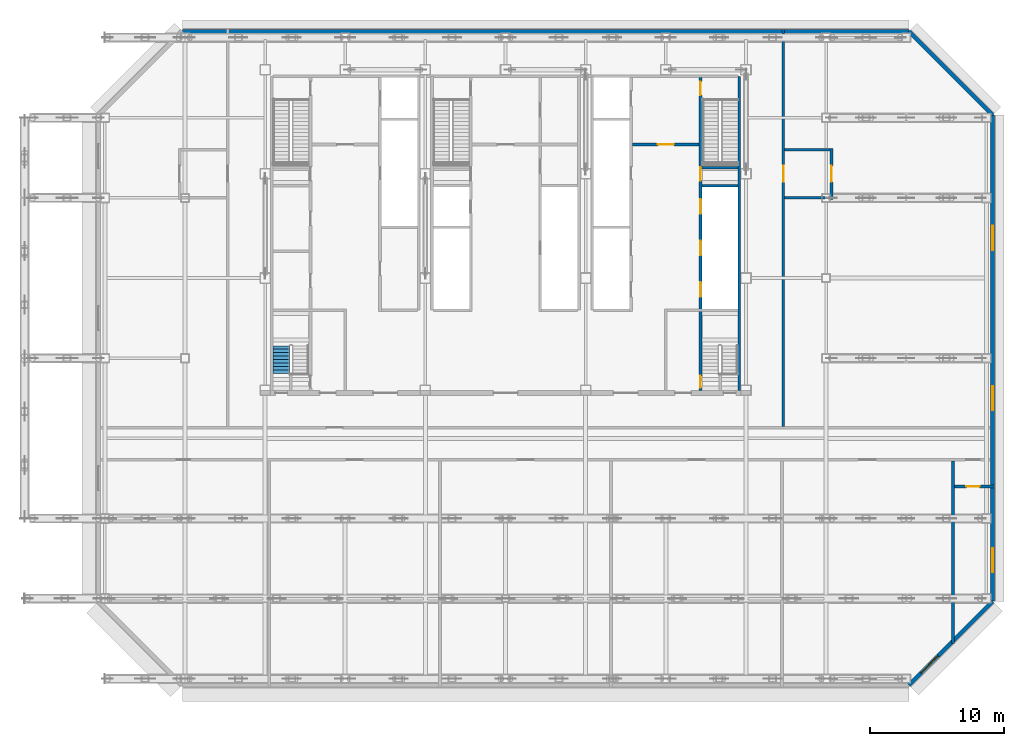
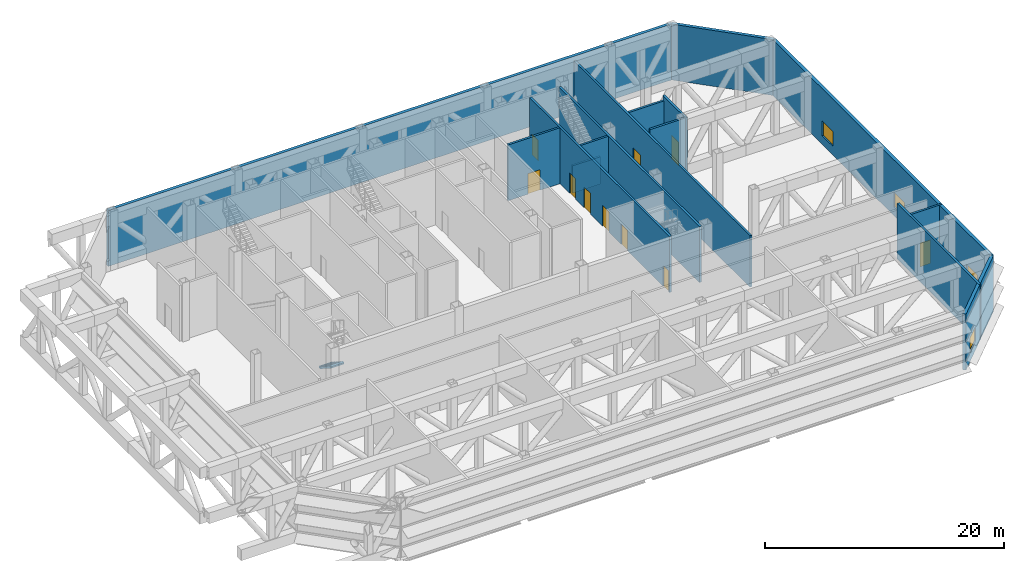
# One storey, part 8 of 17: 15 walls, 10 doors, 4 windows, 1 stair flight, 14 openings, 1 element without a shape of its own.
"""IFC4 building model written with IfcOpenShell, lengths in metres."""

from ifc_helpers import new_model, si_unit, direction, frame, frame_2d, origin, place, context, subcontext, project, spatial, polyline, rectangle, outline, extrude, material, layer, layer_set, type_object, element, fill, aggregate, save


model = new_model("IFC4")

# Units and contexts
model_context = context("Model", 3, precision=1e-05, world=origin(), true_north=direction((0.0, 1.0)))
body_context = subcontext(model_context, "Body", "Model", "MODEL_VIEW")
ifc_project = project(units=[si_unit("LENGTHUNIT", "METRE"), si_unit("AREAUNIT", "SQUARE_METRE"), si_unit("VOLUMEUNIT", "CUBIC_METRE"), si_unit("PLANEANGLEUNIT", "RADIAN"), si_unit("MASSUNIT", "GRAM", prefix="KILO")], contexts=[model_context])

# Site, building, storey
site_placement = place(None, origin())
site = spatial("IfcSite", under=ifc_project, at=site_placement, CompositionType="ELEMENT")
building_placement = place(site_placement, origin())
building = spatial("IfcBuilding", under=site, at=building_placement, Name="Sorahane Residences", CompositionType="ELEMENT")
storey_placement = place(building_placement, frame((0.0, 0.0, 186.0)))
storey = spatial("IfcBuildingStorey", under=building, at=storey_placement, Name="L43", CompositionType="ELEMENT", Elevation=186.0)

# Wall
ifc_material_1 = material(Name="Concrete C30", Category="concrete")
ifc_layer_1 = layer(ifc_material_1, 0.199951171875)
ifc_layer_set_1 = layer_set([ifc_layer_1], Name="Core face wall 200 EI 180")
wall_type_1 = type_object("IfcWallType", Name="Core face wall 200 EI 180", PredefinedType="SOLIDWALL", material=ifc_layer_set_1)
wall_1_placement = place(storey_placement, frame((41.5, 21.60009765625, 0.0), z_axis=(0.0, 0.0, 1.0), x_axis=(0.0, 1.0, 0.0)))
element("IfcWall", 1, at=wall_1_placement, inside=storey, type_object=wall_type_1, Name="L43 core face wall", PredefinedType="SOLIDWALL", context=body_context, shape_type="SweptSolid", body=[
    extrude(rectangle(XDim=23.5, YDim=0.199951171875, at=frame_2d((11.75, 0.0))), origin(), (0.0, 0.0, 1.0), 5.699951171875),
])

# Wall, opening, window
ifc_material_2 = material(Name="Graphite insulated metal-clad wall")
ifc_layer_2 = layer(ifc_material_2, 0.300048828125)
ifc_layer_set_2 = layer_set([ifc_layer_2], Name="External wall insulated metal-clad 300")
wall_type_2 = type_object("IfcWallType", Name="External wall insulated metal-clad 300", PredefinedType="SOLIDWALL", material=ifc_layer_set_2)
wall_2_placement = place(storey_placement, frame((54.194580078125, -0.469970703125, 0.0), z_axis=(0.0, 0.0, 1.0), x_axis=(0.707106781187, 0.707106781187, 0.0)))
wall_2 = element("IfcWall", 2, at=wall_2_placement, inside=storey, type_object=wall_type_2, Name="External plant wall L43 SE1", PredefinedType="SOLIDWALL", context=body_context, shape_type="SweptSolid", body=[
    extrude(rectangle(XDim=8.874755859375, YDim=0.300048828125, at=frame_2d((4.4375, 0.0))), origin(), (0.0, 0.0, 1.0), 5.699951171875),
])
opening_1_placement = place(wall_2_placement, frame((1.291748046875, 0.0, 0.89990234375)))
opening_1 = element("IfcOpeningElement", 3, at=opening_1_placement, cuts=wall_2, Name="Opening W-R1", PredefinedType="OPENING", context=body_context, shape_type="SweptSolid", body=[
    extrude(rectangle(XDim=1.800048828125, YDim=1.5, at=frame_2d((0.89990234375, 0.75))), frame((0.0, 0.159912109375, 0.0), z_axis=(0.0, -1.0, 0.0), x_axis=(1.0, 0.0, 0.0)), (0.0, 0.0, 1.0), 0.320068359375),
])
ifc_material_3 = material(Name="Dark aluminium and glass", Category="aluminium")
window_type = type_object("IfcWindowType", Name="Openable Class B fire window dark aluminium 1800x1500", PartitioningType="SINGLE_PANEL", PredefinedType="WINDOW", material=ifc_material_3)
window_1_placement = place(opening_1_placement, origin())
window_1 = element("IfcWindow", 4, at=window_1_placement, inside=storey, type_object=window_type, Name="Openable fire window L43 SE1.1", OverallHeight=1.5, OverallWidth=1.800048828125, PartitioningType="SINGLE_PANEL", PredefinedType="WINDOW", context=body_context, shape_type="SweptSolid", body=[
    extrude(rectangle(XDim=1.800048828125, YDim=1.5, at=frame_2d((0.89990234375, 0.75))), frame((0.0, 0.030029296875, 0.0), z_axis=(0.0, -1.0, 0.0), x_axis=(1.0, 0.0, 0.0)), (0.0, 0.0, 1.0), 0.06005859375),
])
fill(opening_1, window_1)

# Wall, openings, windows
wall_3_placement = place(storey_placement, frame((60.469970703125, 5.805419921875, 0.0), z_axis=(0.0, 0.0, 1.0), x_axis=(0.0, 1.0, 0.0)))
wall_3 = element("IfcWall", 5, at=wall_3_placement, inside=storey, type_object=wall_type_2, Name="External plant wall L43 E1", PredefinedType="SOLIDWALL", context=body_context, shape_type="SweptSolid", body=[
    extrude(rectangle(XDim=36.38916015625, YDim=0.300048828125, at=frame_2d((18.194580078125, 0.0))), origin(), (0.0, 0.0, 1.0), 5.699951171875),
])
opening_2_placement = place(wall_3_placement, frame((2.17041015625, 0.0, 0.89990234375)))
opening_2 = element("IfcOpeningElement", 6, at=opening_2_placement, cuts=wall_3, Name="Opening W-R1", PredefinedType="OPENING", context=body_context, shape_type="SweptSolid", body=[
    extrude(rectangle(XDim=1.800048828125, YDim=1.5, at=frame_2d((0.89990234375, 0.75))), frame((0.0, 0.159912109375, 0.0), z_axis=(0.0, -1.0, 0.0), x_axis=(1.0, 0.0, 0.0)), (0.0, 0.0, 1.0), 0.320068359375),
])
opening_3_placement = place(wall_3_placement, frame((14.294677734375, 0.0, 0.89990234375)))
opening_3 = element("IfcOpeningElement", 7, at=opening_3_placement, cuts=wall_3, Name="Opening W-R1", PredefinedType="OPENING", context=body_context, shape_type="SweptSolid", body=[
    extrude(rectangle(XDim=1.800048828125, YDim=1.5, at=frame_2d((0.89990234375, 0.75))), frame((0.0, 0.159912109375, 0.0), z_axis=(0.0, -1.0, 0.0), x_axis=(1.0, 0.0, 0.0)), (0.0, 0.0, 1.0), 0.320068359375),
])
opening_4_placement = place(wall_3_placement, frame((26.294677734375, 0.0, 0.89990234375)))
opening_4 = element("IfcOpeningElement", 8, at=opening_4_placement, cuts=wall_3, Name="Opening W-R1", PredefinedType="OPENING", context=body_context, shape_type="SweptSolid", body=[
    extrude(rectangle(XDim=1.800048828125, YDim=1.5, at=frame_2d((0.89990234375, 0.75))), frame((0.0, 0.159912109375, 0.0), z_axis=(0.0, -1.0, 0.0), x_axis=(1.0, 0.0, 0.0)), (0.0, 0.0, 1.0), 0.320068359375),
])
window_2_placement = place(opening_2_placement, origin())
window_2 = element("IfcWindow", 9, at=window_2_placement, inside=storey, type_object=window_type, Name="Openable fire window L43 E1.1", OverallHeight=1.5, OverallWidth=1.800048828125, PartitioningType="SINGLE_PANEL", PredefinedType="WINDOW", context=body_context, shape_type="SweptSolid", body=[
    extrude(rectangle(XDim=1.800048828125, YDim=1.5, at=frame_2d((0.89990234375, 0.75))), frame((0.0, 0.030029296875, 0.0), z_axis=(0.0, -1.0, 0.0), x_axis=(1.0, 0.0, 0.0)), (0.0, 0.0, 1.0), 0.06005859375),
])
fill(opening_2, window_2)
window_3_placement = place(opening_3_placement, origin())
window_3 = element("IfcWindow", 10, at=window_3_placement, inside=storey, type_object=window_type, Name="Openable fire window L43 E1.3", OverallHeight=1.5, OverallWidth=1.800048828125, PartitioningType="SINGLE_PANEL", PredefinedType="WINDOW", context=body_context, shape_type="SweptSolid", body=[
    extrude(rectangle(XDim=1.800048828125, YDim=1.5, at=frame_2d((0.89990234375, 0.75))), frame((0.0, 0.030029296875, 0.0), z_axis=(0.0, -1.0, 0.0), x_axis=(1.0, 0.0, 0.0)), (0.0, 0.0, 1.0), 0.06005859375),
])
fill(opening_3, window_3)
window_4_placement = place(opening_4_placement, origin())
window_4 = element("IfcWindow", 11, at=window_4_placement, inside=storey, type_object=window_type, Name="Openable fire window L43 E1.5", OverallHeight=1.5, OverallWidth=1.800048828125, PartitioningType="SINGLE_PANEL", PredefinedType="WINDOW", context=body_context, shape_type="SweptSolid", body=[
    extrude(rectangle(XDim=1.800048828125, YDim=1.5, at=frame_2d((0.89990234375, 0.75))), frame((0.0, 0.030029296875, 0.0), z_axis=(0.0, -1.0, 0.0), x_axis=(1.0, 0.0, 0.0)), (0.0, 0.0, 1.0), 0.06005859375),
])
fill(opening_4, window_4)

# Walls
wall_4_placement = place(storey_placement, frame((60.469970703125, 42.194580078125, 0.0), z_axis=(0.0, 0.0, 1.0), x_axis=(-0.707106781187, 0.707106781187, 0.0)))
element("IfcWall", 12, at=wall_4_placement, inside=storey, type_object=wall_type_2, Name="External plant wall L43 NE1", PredefinedType="SOLIDWALL", context=body_context, shape_type="SweptSolid", body=[
    extrude(rectangle(XDim=8.874755859375, YDim=0.300048828125, at=frame_2d((4.4375, 0.0))), origin(), (0.0, 0.0, 1.0), 5.699951171875),
])
wall_5_placement = place(storey_placement, frame((54.194580078125, 48.469970703125, 0.0), z_axis=(0.0, 0.0, 1.0), x_axis=(-1.0, 0.0, 0.0)))
element("IfcWall", 13, at=wall_5_placement, inside=storey, type_object=wall_type_2, Name="External plant wall L43 N1", PredefinedType="SOLIDWALL", context=body_context, shape_type="SweptSolid", body=[
    extrude(rectangle(XDim=54.38916015625, YDim=0.300048828125, at=frame_2d((27.194580078125, 0.0))), origin(), (0.0, 0.0, 1.0), 5.699951171875),
])

# Wall, opening, door
ifc_material_4 = material(Name="Concrete blockwork C20 wall", Category="masonry")
ifc_layer_3 = layer(ifc_material_4, 0.199951171875)
ifc_layer_set_3 = layer_set([ifc_layer_3], Name="Fire wall 200 EI 120")
wall_type_3 = type_object("IfcWallType", Name="Fire wall 200 EI 120", PredefinedType="SOLIDWALL", material=ifc_layer_set_3)
wall_6_placement = place(storey_placement, frame((44.800048828125, 18.89990234375, 0.0), z_axis=(0.0, 0.0, 1.0), x_axis=(0.0, 1.0, 0.0)))
wall_6 = element("IfcWall", 14, at=wall_6_placement, inside=storey, type_object=wall_type_3, Name="L43 fire wall", PredefinedType="SOLIDWALL", context=body_context, shape_type="SweptSolid", body=[
    extrude(rectangle(XDim=29.7001953125, YDim=0.199951171875, at=frame_2d((14.85009765625, 0.0))), origin(), (0.0, 0.0, 1.0), 5.25),
])
opening_5_placement = place(wall_6_placement, frame((18.300048828125, 0.0, 0.0)))
opening_5 = element("IfcOpeningElement", 15, at=opening_5_placement, cuts=wall_6, Name="Opening L43-10", PredefinedType="OPENING", context=body_context, shape_type="SweptSolid", body=[
    extrude(rectangle(XDim=1.199951171875, YDim=2.39990234375, at=frame_2d((0.60009765625, 1.199951171875))), frame((0.0, 0.10986328125, 0.0), z_axis=(0.0, -1.0, 0.0), x_axis=(1.0, 0.0, 0.0)), (0.0, 0.0, 1.0), 0.219970703125),
])
ifc_material_5 = material(Name="Steel", Category="steel")
door_type_1 = type_object("IfcDoorType", Name="Lobby door 1200x2400 FD60", OperationType="NOTDEFINED", PredefinedType="DOOR", material=ifc_material_5)
door_1_placement = place(opening_5_placement, origin())
door_1 = element("IfcDoor", 16, at=door_1_placement, inside=storey, type_object=door_type_1, Name="Lobby door L43-10", OperationType="SINGLE_SWING_RIGHT", OverallHeight=2.39990234375, OverallWidth=1.199951171875, PredefinedType="DOOR", context=body_context, shape_type="SweptSolid", body=[
    extrude(rectangle(XDim=1.199951171875, YDim=2.39990234375, at=frame_2d((0.60009765625, 1.199951171875))), frame((0.0, 0.02490234375, 0.0), z_axis=(0.0, -1.0, 0.0), x_axis=(1.0, 0.0, 0.0)), (0.0, 0.0, 1.0), 0.050048828125),
])
fill(opening_5, door_1)

wall_7_placement = place(storey_placement, frame((48.39990234375, 35.89990234375, 0.0), z_axis=(0.0, 0.0, 1.0), x_axis=(0.0, 1.0, 0.0)))
wall_7 = element("IfcWall", 17, at=wall_7_placement, inside=storey, type_object=wall_type_3, Name="L43 fire wall", PredefinedType="SOLIDWALL", context=body_context, shape_type="SweptSolid", body=[
    extrude(rectangle(XDim=3.800048828125, YDim=0.199951171875, at=frame_2d((1.89990234375, 0.0))), origin(), (0.0, 0.0, 1.0), 5.699951171875),
])
opening_6_placement = place(wall_7_placement, frame((1.300048828125, 0.0, 0.0)))
opening_6 = element("IfcOpeningElement", 18, at=opening_6_placement, cuts=wall_7, Name="Opening L43-09", PredefinedType="OPENING", context=body_context, shape_type="SweptSolid", body=[
    extrude(rectangle(XDim=1.199951171875, YDim=2.39990234375, at=frame_2d((0.60009765625, 1.199951171875))), frame((0.0, 0.10986328125, 0.0), z_axis=(0.0, -1.0, 0.0), x_axis=(1.0, 0.0, 0.0)), (0.0, 0.0, 1.0), 0.219970703125),
])
door_2_placement = place(opening_6_placement, origin())
door_2 = element("IfcDoor", 19, at=door_2_placement, inside=storey, type_object=door_type_1, Name="Lobby door L43-09", OperationType="SINGLE_SWING_LEFT", OverallHeight=2.39990234375, OverallWidth=1.199951171875, PredefinedType="DOOR", context=body_context, shape_type="SweptSolid", body=[
    extrude(rectangle(XDim=1.199951171875, YDim=2.39990234375, at=frame_2d((0.60009765625, 1.199951171875))), frame((0.0, 0.02490234375, 0.0), z_axis=(0.0, -1.0, 0.0), x_axis=(1.0, 0.0, 0.0)), (0.0, 0.0, 1.0), 0.050048828125),
])
fill(opening_6, door_2)

# Wall
wall_8_placement = place(storey_placement, frame((57.5, 2.65087890625, 0.0), z_axis=(0.0, 0.0, 1.0), x_axis=(0.0, 1.0, 0.0)))
element("IfcWall", 20, at=wall_8_placement, inside=storey, type_object=wall_type_3, Name="L43 fire wall", PredefinedType="SOLIDWALL", context=body_context, shape_type="SweptSolid", body=[
    extrude(rectangle(XDim=13.649169921875, YDim=0.199951171875, at=frame_2d((6.82470703125, 0.0))), origin(), (0.0, 0.0, 1.0), 5.699951171875),
])

# Wall, opening, door
wall_9_placement = place(storey_placement, frame((57.60009765625, 14.39990234375, 0.0), z_axis=(0.0, 0.0, 1.0), x_axis=(1.0, 0.0, 0.0)))
wall_9 = element("IfcWall", 21, at=wall_9_placement, inside=storey, type_object=wall_type_3, Name="L43 fire wall", PredefinedType="SOLIDWALL", context=body_context, shape_type="SweptSolid", body=[
    extrude(rectangle(XDim=3.0, YDim=0.199951171875, at=frame_2d((1.5, 0.0))), origin(), (0.0, 0.0, 1.0), 5.699951171875),
])
opening_7_placement = place(wall_9_placement, frame((0.89990234375, 0.0, 0.0)))
opening_7 = element("IfcOpeningElement", 22, at=opening_7_placement, cuts=wall_9, Name="Opening L43-07", PredefinedType="OPENING", context=body_context, shape_type="SweptSolid", body=[
    extrude(rectangle(XDim=1.0, YDim=2.39990234375, at=frame_2d((0.5, 1.199951171875))), frame((0.0, 0.10986328125, 0.0), z_axis=(0.0, -1.0, 0.0), x_axis=(1.0, 0.0, 0.0)), (0.0, 0.0, 1.0), 0.219970703125),
])
ifc_material_6 = material(Name="Steel", Category="steel")
door_type_2 = type_object("IfcDoorType", Name="Fire door 1000x2400 FD60", OperationType="NOTDEFINED", PredefinedType="DOOR", material=ifc_material_6)
door_3_placement = place(opening_7_placement, frame((1.0, 0.0, 0.0), z_axis=(0.0, 0.0, 1.0), x_axis=(-1.0, 0.0, 0.0)))
door_3 = element("IfcDoor", 23, at=door_3_placement, inside=storey, type_object=door_type_2, Name="Fire door L43-07", OperationType="SINGLE_SWING_RIGHT", OverallHeight=2.39990234375, OverallWidth=1.0, PredefinedType="DOOR", context=body_context, shape_type="SweptSolid", body=[
    extrude(rectangle(XDim=1.0, YDim=2.39990234375, at=frame_2d((0.5, 1.199951171875))), frame((0.0, 0.02490234375, 0.0), z_axis=(0.0, -1.0, 0.0), x_axis=(1.0, 0.0, 0.0)), (0.0, 0.0, 1.0), 0.050048828125),
])
fill(opening_7, door_3)

# Walls
wall_10_placement = place(storey_placement, frame((44.89990234375, 36.0, 0.0), z_axis=(0.0, 0.0, 1.0), x_axis=(1.0, 0.0, 0.0)))
element("IfcWall", 24, at=wall_10_placement, inside=storey, type_object=wall_type_3, Name="L43 fire wall", PredefinedType="SOLIDWALL", context=body_context, shape_type="SweptSolid", body=[
    extrude(rectangle(XDim=3.400146484375, YDim=0.199951171875, at=frame_2d((1.7001953125, 0.0))), origin(), (0.0, 0.0, 1.0), 5.699951171875),
])
wall_11_placement = place(storey_placement, frame((44.89990234375, 39.60009765625, 0.0), z_axis=(0.0, 0.0, 1.0), x_axis=(1.0, 0.0, 0.0)))
element("IfcWall", 25, at=wall_11_placement, inside=storey, type_object=wall_type_3, Name="L43 fire wall", PredefinedType="SOLIDWALL", context=body_context, shape_type="SweptSolid", body=[
    extrude(rectangle(XDim=3.400146484375, YDim=0.199951171875, at=frame_2d((1.7001953125, 0.0))), origin(), (0.0, 0.0, 1.0), 5.25),
])

# Wall, opening, door
ifc_material_7 = material(Name="Concrete C30", Category="concrete")
ifc_layer_4 = layer(ifc_material_7, 0.199951171875)
ifc_layer_set_4 = layer_set([ifc_layer_4], Name="Front room wall 200 EI 120")
wall_type_4 = type_object("IfcWallType", Name="Front room wall 200 EI 120", PredefinedType="PARTITIONING", material=ifc_layer_set_4)
wall_12_placement = place(storey_placement, frame((33.5, 40.0, 0.0), z_axis=(0.0, 0.0, 1.0), x_axis=(1.0, 0.0, 0.0)))
wall_12 = element("IfcWall", 26, at=wall_12_placement, inside=storey, type_object=wall_type_4, Name="L43 front room wall", PredefinedType="PARTITIONING", context=body_context, shape_type="SweptSolid", body=[
    extrude(rectangle(XDim=5.0, YDim=0.199951171875, at=frame_2d((2.5, 0.0))), origin(), (0.0, 0.0, 1.0), 5.699951171875),
])
opening_8_placement = place(wall_12_placement, frame((1.89990234375, 0.0, 0.0)))
opening_8 = element("IfcOpeningElement", 27, at=opening_8_placement, cuts=wall_12, Name="Opening L43-C08", PredefinedType="OPENING", context=body_context, shape_type="SweptSolid", body=[
    extrude(rectangle(XDim=1.199951171875, YDim=2.10009765625, at=frame_2d((0.60009765625, 1.050048828125))), frame((0.0, 0.10986328125, 0.0), z_axis=(0.0, -1.0, 0.0), x_axis=(1.0, 0.0, 0.0)), (0.0, 0.0, 1.0), 0.219970703125),
])
ifc_material_8 = material(Name="Steel", Category="steel")
door_type_3 = type_object("IfcDoorType", Name="Front room door 1200x2100 FD120", OperationType="NOTDEFINED", PredefinedType="DOOR", material=ifc_material_8)
door_4_placement = place(opening_8_placement, frame((1.199951171875, 0.0, 0.0), z_axis=(0.0, 0.0, 1.0), x_axis=(-1.0, 0.0, 0.0)))
door_4 = element("IfcDoor", 28, at=door_4_placement, inside=storey, type_object=door_type_3, Name="Front room door Firefighting lobby FF2 front room L43", OperationType="DOUBLE_DOOR_SINGLE_SWING", OverallHeight=2.10009765625, OverallWidth=1.199951171875, PredefinedType="DOOR", context=body_context, shape_type="SweptSolid", body=[
    extrude(rectangle(XDim=1.199951171875, YDim=2.10009765625, at=frame_2d((0.60009765625, 1.050048828125))), frame((0.0, 0.02490234375, 0.0), z_axis=(0.0, -1.0, 0.0), x_axis=(1.0, 0.0, 0.0)), (0.0, 0.0, 1.0), 0.050048828125),
])
fill(opening_8, door_4)

# Wall, openings, doors
ifc_material_9 = material(Name="Concrete C30", Category="concrete")
ifc_layer_5 = layer(ifc_material_9, 0.199951171875)
ifc_layer_set_5 = layer_set([ifc_layer_5], Name="Stair enclosure wall 200 EI 120")
wall_type_5 = type_object("IfcWallType", Name="Stair enclosure wall 200 EI 120", PredefinedType="SOLIDWALL", material=ifc_layer_set_5)
wall_13_placement = place(storey_placement, frame((38.60009765625, 21.60009765625, 0.0), z_axis=(0.0, 0.0, 1.0), x_axis=(0.0, 1.0, 0.0)))
wall_13 = element("IfcWall", 29, at=wall_13_placement, inside=storey, type_object=wall_type_5, Name="L43 stair enclosure wall", PredefinedType="SOLIDWALL", context=body_context, shape_type="SweptSolid", body=[
    extrude(rectangle(XDim=23.39990234375, YDim=0.199951171875, at=frame_2d((11.699951171875, 0.0))), origin(), (0.0, 0.0, 1.0), 5.699951171875),
])
opening_9_placement = place(wall_13_placement, frame((7.0, 0.0, 0.0)))
opening_9 = element("IfcOpeningElement", 30, at=opening_9_placement, cuts=wall_13, Name="Opening L43-C09", PredefinedType="OPENING", context=body_context, shape_type="SweptSolid", body=[
    extrude(rectangle(XDim=1.10009765625, YDim=2.10009765625, at=frame_2d((0.550048828125, 1.050048828125))), frame((0.0, 0.10986328125, 0.0), z_axis=(0.0, -1.0, 0.0), x_axis=(1.0, 0.0, 0.0)), (0.0, 0.0, 1.0), 0.219970703125),
])
opening_10_placement = place(wall_13_placement, frame((10.10009765625, 0.0, 0.0)))
opening_10 = element("IfcOpeningElement", 31, at=opening_10_placement, cuts=wall_13, Name="Opening L43-C10", PredefinedType="OPENING", context=body_context, shape_type="SweptSolid", body=[
    extrude(rectangle(XDim=1.10009765625, YDim=2.10009765625, at=frame_2d((0.550048828125, 1.050048828125))), frame((0.0, 0.10986328125, 0.0), z_axis=(0.0, -1.0, 0.0), x_axis=(1.0, 0.0, 0.0)), (0.0, 0.0, 1.0), 0.219970703125),
])
opening_11_placement = place(wall_13_placement, frame((13.199951171875, 0.0, 0.0)))
opening_11 = element("IfcOpeningElement", 32, at=opening_11_placement, cuts=wall_13, Name="Opening L43-C11", PredefinedType="OPENING", context=body_context, shape_type="SweptSolid", body=[
    extrude(rectangle(XDim=1.10009765625, YDim=2.10009765625, at=frame_2d((0.550048828125, 1.050048828125))), frame((0.0, 0.10986328125, 0.0), z_axis=(0.0, -1.0, 0.0), x_axis=(1.0, 0.0, 0.0)), (0.0, 0.0, 1.0), 0.219970703125),
])
opening_12_placement = place(wall_13_placement, frame((15.699951171875, 0.0, 0.0)))
opening_12 = element("IfcOpeningElement", 33, at=opening_12_placement, cuts=wall_13, Name="Opening L43-C21", PredefinedType="OPENING", context=body_context, shape_type="SweptSolid", body=[
    extrude(rectangle(XDim=1.0, YDim=2.10009765625, at=frame_2d((0.5, 1.050048828125))), frame((0.0, 0.10986328125, 0.0), z_axis=(0.0, -1.0, 0.0), x_axis=(1.0, 0.0, 0.0)), (0.0, 0.0, 1.0), 0.219970703125),
])
opening_13_placement = place(wall_13_placement, frame((22.10009765625, 0.0, 0.0)))
opening_13 = element("IfcOpeningElement", 34, at=opening_13_placement, cuts=wall_13, Name="Opening L43-C22", PredefinedType="OPENING", context=body_context, shape_type="SweptSolid", body=[
    extrude(rectangle(XDim=1.0, YDim=2.10009765625, at=frame_2d((0.5, 1.050048828125))), frame((0.0, 0.10986328125, 0.0), z_axis=(0.0, -1.0, 0.0), x_axis=(1.0, 0.0, 0.0)), (0.0, 0.0, 1.0), 0.219970703125),
])
opening_14_placement = place(wall_13_placement, frame((0.175048828125, 0.0, 0.0)))
opening_14 = element("IfcOpeningElement", 35, at=opening_14_placement, cuts=wall_13, Name="Opening L43-C27", PredefinedType="OPENING", context=body_context, shape_type="SweptSolid", body=[
    extrude(rectangle(XDim=0.89990234375, YDim=2.10009765625, at=frame_2d((0.449951171875, 1.050048828125))), frame((0.0, 0.10986328125, 0.0), z_axis=(0.0, -1.0, 0.0), x_axis=(1.0, 0.0, 0.0)), (0.0, 0.0, 1.0), 0.219970703125),
])
ifc_material_10 = material(Name="Aluminium and stainless steel", Category="steel")
door_type_4 = type_object("IfcDoorType", Name="Lift landing door 1100x2100 E 60", OperationType="NOTDEFINED", PredefinedType="DOOR", material=ifc_material_10)
door_5_placement = place(opening_9_placement, origin())
door_5 = element("IfcDoor", 36, at=door_5_placement, inside=storey, type_object=door_type_4, Name="Lift landing door HR1 L43", OperationType="DOUBLE_DOOR_SLIDING", OverallHeight=2.10009765625, OverallWidth=1.10009765625, PredefinedType="DOOR", context=body_context, shape_type="SweptSolid", body=[
    extrude(rectangle(XDim=1.10009765625, YDim=2.10009765625, at=frame_2d((0.550048828125, 1.050048828125))), frame((0.0, 0.02490234375, 0.0), z_axis=(0.0, -1.0, 0.0), x_axis=(1.0, 0.0, 0.0)), (0.0, 0.0, 1.0), 0.050048828125),
])
fill(opening_9, door_5)
door_6_placement = place(opening_10_placement, origin())
door_6 = element("IfcDoor", 37, at=door_6_placement, inside=storey, type_object=door_type_4, Name="Lift landing door HR2 L43", OperationType="DOUBLE_DOOR_SLIDING", OverallHeight=2.10009765625, OverallWidth=1.10009765625, PredefinedType="DOOR", context=body_context, shape_type="SweptSolid", body=[
    extrude(rectangle(XDim=1.10009765625, YDim=2.10009765625, at=frame_2d((0.550048828125, 1.050048828125))), frame((0.0, 0.02490234375, 0.0), z_axis=(0.0, -1.0, 0.0), x_axis=(1.0, 0.0, 0.0)), (0.0, 0.0, 1.0), 0.050048828125),
])
fill(opening_10, door_6)
door_7_placement = place(opening_11_placement, origin())
door_7 = element("IfcDoor", 38, at=door_7_placement, inside=storey, type_object=door_type_4, Name="Lift landing door HR3 L43", OperationType="DOUBLE_DOOR_SLIDING", OverallHeight=2.10009765625, OverallWidth=1.10009765625, PredefinedType="DOOR", context=body_context, shape_type="SweptSolid", body=[
    extrude(rectangle(XDim=1.10009765625, YDim=2.10009765625, at=frame_2d((0.550048828125, 1.050048828125))), frame((0.0, 0.02490234375, 0.0), z_axis=(0.0, -1.0, 0.0), x_axis=(1.0, 0.0, 0.0)), (0.0, 0.0, 1.0), 0.050048828125),
])
fill(opening_11, door_7)
ifc_material_11 = material(Name="Steel", Category="steel")
door_type_5 = type_object("IfcDoorType", Name="Refuge stair door 1000x2100 FD120", OperationType="NOTDEFINED", PredefinedType="DOOR", material=ifc_material_11)
door_8_placement = place(opening_12_placement, frame((1.0, 0.0, 0.0), z_axis=(0.0, 0.0, 1.0), x_axis=(-1.0, 0.0, 0.0)))
door_8 = element("IfcDoor", 39, at=door_8_placement, inside=storey, type_object=door_type_5, Name="Refuge stair door S2 L43", OperationType="SINGLE_SWING_LEFT", OverallHeight=2.10009765625, OverallWidth=1.0, PredefinedType="DOOR", context=body_context, shape_type="SweptSolid", body=[
    extrude(rectangle(XDim=1.0, YDim=2.10009765625, at=frame_2d((0.5, 1.050048828125))), frame((0.0, 0.02490234375, 0.0), z_axis=(0.0, -1.0, 0.0), x_axis=(1.0, 0.0, 0.0)), (0.0, 0.0, 1.0), 0.050048828125),
])
fill(opening_12, door_8)
door_9_placement = place(opening_13_placement, frame((1.0, 0.0, 0.0), z_axis=(0.0, 0.0, 1.0), x_axis=(-1.0, 0.0, 0.0)))
door_9 = element("IfcDoor", 40, at=door_9_placement, inside=storey, type_object=door_type_5, Name="Refuge stair door S2 L43", OperationType="SINGLE_SWING_LEFT", OverallHeight=2.10009765625, OverallWidth=1.0, PredefinedType="DOOR", context=body_context, shape_type="SweptSolid", body=[
    extrude(rectangle(XDim=1.0, YDim=2.10009765625, at=frame_2d((0.5, 1.050048828125))), frame((0.0, 0.02490234375, 0.0), z_axis=(0.0, -1.0, 0.0), x_axis=(1.0, 0.0, 0.0)), (0.0, 0.0, 1.0), 0.050048828125),
])
fill(opening_13, door_9)
ifc_material_12 = material(Name="Steel", Category="steel")
door_type_6 = type_object("IfcDoorType", Name="Refuge stair door 900x2100 FD120", OperationType="NOTDEFINED", PredefinedType="DOOR", material=ifc_material_12)
door_10_placement = place(opening_14_placement, frame((0.89990234375, 0.0, 0.0), z_axis=(0.0, 0.0, 1.0), x_axis=(-1.0, 0.0, 0.0)))
door_10 = element("IfcDoor", 41, at=door_10_placement, inside=storey, type_object=door_type_6, Name="Refuge stair door S5 L43", OperationType="SINGLE_SWING_LEFT", OverallHeight=2.10009765625, OverallWidth=0.89990234375, PredefinedType="DOOR", context=body_context, shape_type="SweptSolid", body=[
    extrude(rectangle(XDim=0.89990234375, YDim=2.10009765625, at=frame_2d((0.449951171875, 1.050048828125))), frame((0.0, 0.02490234375, 0.0), z_axis=(0.0, -1.0, 0.0), x_axis=(1.0, 0.0, 0.0)), (0.0, 0.0, 1.0), 0.050048828125),
])
fill(opening_14, door_10)

# Walls
wall_14_placement = place(storey_placement, frame((38.699951171875, 36.89990234375, 0.0), z_axis=(0.0, 0.0, 1.0), x_axis=(1.0, 0.0, 0.0)))
element("IfcWall", 42, at=wall_14_placement, inside=storey, type_object=wall_type_5, Name="L43 stair enclosure wall", PredefinedType="SOLIDWALL", context=body_context, shape_type="SweptSolid", body=[
    extrude(rectangle(XDim=2.699951171875, YDim=0.199951171875, at=frame_2d((1.35009765625, 0.0))), origin(), (0.0, 0.0, 1.0), 5.699951171875),
])
wall_15_placement = place(storey_placement, frame((38.699951171875, 38.25, 0.0), z_axis=(0.0, 0.0, 1.0), x_axis=(1.0, 0.0, 0.0)))
element("IfcWall", 43, at=wall_15_placement, inside=storey, type_object=wall_type_5, Name="L43 stair enclosure wall", PredefinedType="SOLIDWALL", context=body_context, shape_type="SweptSolid", body=[
    extrude(rectangle(XDim=2.699951171875, YDim=0.199951171875, at=frame_2d((1.35009765625, 0.0))), origin(), (0.0, 0.0, 1.0), 2.800048828125),
])

# Stair, stair flight
ifc_material_13 = material(Name="Concrete C40", Category="concrete")
stair_type = type_object("IfcStairType", Name="Dog-leg stair 1250 Concrete C40", PredefinedType="HALF_TURN_STAIR", material=ifc_material_13)
stair_placement = place(storey_placement, origin())
stair = element("IfcStair", 44, at=stair_placement, inside=storey, type_object=stair_type, Name="L43 Stair S4", PredefinedType="HALF_TURN_STAIR")
ifc_material_14 = material(Name="Concrete C40", Category="concrete")
stair_flight_type = type_object("IfcStairFlightType", Name="Stair flight 1250 Concrete C40", PredefinedType="STRAIGHT", material=ifc_material_14)
stair_flight_placement = place(storey_placement, frame((7.22509765625, 24.929931640625, 1.5), z_axis=(0.0, 0.0, 1.0), x_axis=(0.0, -1.0, 0.0)))
stair_flight = element("IfcStairFlight", 45, at=stair_flight_placement, type_object=stair_flight_type, Name="S4 flight 2", NumberOfRisers=9, NumberOfTreads=8, PredefinedType="STRAIGHT", RiserHeight=0.166666667, TreadLength=0.26, context=body_context, shape_type="SweptSolid", body=[
    extrude(outline(polyline([(0.0, 0.0), (0.0, 0.001953125), (0.0, 0.004150390625), (0.0, 0.006103515625), (0.0, 0.00830078125), (0.0, 0.01025390625), (0.0, 0.012451171875), (0.0, 0.014404296875), (0.0, 0.016357421875), (0.0, 0.0185546875), (0.0, 0.0205078125), (0.0, 0.022705078125), (0.0, 0.024658203125), (0.0, 0.02685546875), (0.0, 0.02880859375), (0.0, 0.03076171875), (0.0, 0.032958984375), (0.0, 0.034912109375), (0.0, 0.037109375), (0.0, 0.0390625), (0.0, 0.041259765625), (0.0, 0.043212890625), (0.0, 0.045166015625), (0.0, 0.04736328125), (0.0, 0.04931640625), (0.0, 0.051513671875), (0.0, 0.053466796875), (0.0, 0.0556640625), (0.0, 0.0576171875), (0.0, 0.0595703125), (0.0, 0.061767578125), (0.0, 0.063720703125), (0.0, 0.06591796875), (0.0, 0.06787109375), (0.0, 0.070068359375), (0.0, 0.072021484375), (0.0, 0.073974609375), (0.0, 0.076171875), (0.0, 0.078125), (0.0, 0.080322265625), (0.0, 0.082275390625), (0.0, 0.08447265625), (0.0, 0.08642578125), (0.0, 0.08837890625), (0.0, 0.090576171875), (0.0, 0.092529296875), (0.0, 0.0947265625), (0.0, 0.0966796875), (0.0, 0.098876953125), (0.0, 0.100830078125), (0.0, 0.102783203125), (0.0, 0.10498046875), (0.0, 0.10693359375), (0.0, 0.109130859375), (0.0, 0.111083984375), (0.0, 0.11328125), (0.0, 0.115234375), (0.0, 0.1171875), (0.0, 0.119384765625), (0.0, 0.121337890625), (0.0, 0.12353515625), (0.0, 0.12548828125), (0.0, 0.127685546875), (0.0, 0.129638671875), (0.0, 0.131591796875), (0.0, 0.1337890625), (0.0, 0.1357421875), (0.0, 0.137939453125), (0.0, 0.139892578125), (0.0, 0.14208984375), (0.0, 0.14404296875), (0.0, 0.14599609375), (0.0, 0.148193359375), (0.0, 0.150146484375), (0.0, 0.15234375), (0.0, 0.154296875), (0.0, 0.156494140625), (0.0, 0.158447265625), (0.0, 0.160400390625), (0.0, 0.16259765625), (0.0, 0.16455078125), (0.0, 0.166748046875), (0.260009765625, 0.166748046875), (0.260009765625, 0.333251953125), (0.52001953125, 0.333251953125), (0.52001953125, 0.5), (0.780029296875, 0.5), (0.780029296875, 0.666748046875), (1.0400390625, 0.666748046875), (1.0400390625, 0.833251953125), (1.300048828125, 0.833251953125), (1.300048828125, 1.0), (1.56005859375, 1.0), (1.56005859375, 1.166748046875), (1.820068359375, 1.166748046875), (1.820068359375, 1.333251953125), (2.080078125, 1.333251953125), (2.080078125, 1.5), (2.080078125, 1.49609375), (2.080078125, 1.492431640625), (2.080078125, 1.488525390625), (2.080078125, 1.484619140625), (2.080078125, 1.48095703125), (2.080078125, 1.47705078125), (2.080078125, 1.47314453125), (2.080078125, 1.469482421875), (2.080078125, 1.465576171875), (2.080078125, 1.4619140625), (2.080078125, 1.4580078125), (2.080078125, 1.4541015625), (2.080078125, 1.450439453125), (2.080078125, 1.446533203125), (2.080078125, 1.442626953125), (2.080078125, 1.43896484375), (2.080078125, 1.43505859375), (2.080078125, 1.43115234375), (2.080078125, 1.427490234375), (2.080078125, 1.423583984375), (2.080078125, 1.419677734375), (2.080078125, 1.416015625), (2.080078125, 1.412109375), (2.080078125, 1.408447265625), (2.080078125, 1.404541015625), (2.080078125, 1.400634765625), (2.080078125, 1.39697265625), (2.080078125, 1.39306640625), (2.080078125, 1.38916015625), (2.080078125, 1.385498046875), (2.080078125, 1.381591796875), (2.080078125, 1.377685546875), (2.080078125, 1.3740234375), (2.080078125, 1.3701171875), (2.080078125, 1.3662109375), (2.080078125, 1.362548828125), (2.080078125, 1.358642578125), (2.080078125, 1.35498046875), (2.080078125, 1.35107421875), (2.080078125, 1.34716796875), (2.080078125, 1.343505859375), (2.080078125, 1.339599609375), (2.080078125, 1.335693359375), (2.080078125, 1.33203125), (2.080078125, 1.328125), (2.080078125, 1.32421875), (2.080078125, 1.320556640625), (2.080078125, 1.316650390625), (2.080078125, 1.312744140625), (2.080078125, 1.30908203125), (2.080078125, 1.30517578125), (2.080078125, 1.301513671875), (2.080078125, 1.297607421875), (2.080078125, 1.293701171875), (2.080078125, 1.2900390625), (2.080078125, 1.2861328125), (2.080078125, 1.2822265625), (2.080078125, 1.278564453125), (2.080078125, 1.274658203125), (2.080078125, 1.270751953125), (2.080078125, 1.26708984375), (2.080078125, 1.26318359375), (2.080078125, 1.25927734375), (2.080078125, 1.255615234375), (2.080078125, 1.251708984375), (2.080078125, 1.248046875), (2.080078125, 1.244140625), (2.080078125, 1.240234375), (2.080078125, 1.236572265625), (2.080078125, 1.232666015625), (2.080078125, 1.228759765625), (2.080078125, 1.22509765625), (2.080078125, 1.22119140625), (2.080078125, 1.21728515625), (2.080078125, 1.213623046875), (2.080078125, 1.209716796875), (2.080078125, 1.205810546875), (2.080078125, 1.2021484375), (2.080078125, 1.1982421875), (2.080078125, 1.194580078125), (2.080078125, 1.190673828125), (1.87353515625, 1.058349609375), (1.667236328125, 0.926025390625), (1.4609375, 0.793701171875), (1.25439453125, 0.661376953125), (1.048095703125, 0.529296875), (0.841796875, 0.39697265625), (0.63525390625, 0.2646484375), (0.428955078125, 0.13232421875), (0.22265625, 0.0), (0.0, 0.0)])), frame((0.0, 0.625, 0.0), z_axis=(0.0, -1.0, 0.0), x_axis=(1.0, 0.0, 0.0)), (0.0, 0.0, 1.0), 1.25),
])
aggregate(stair, [stair_flight])

save(model, "model.ifc")
